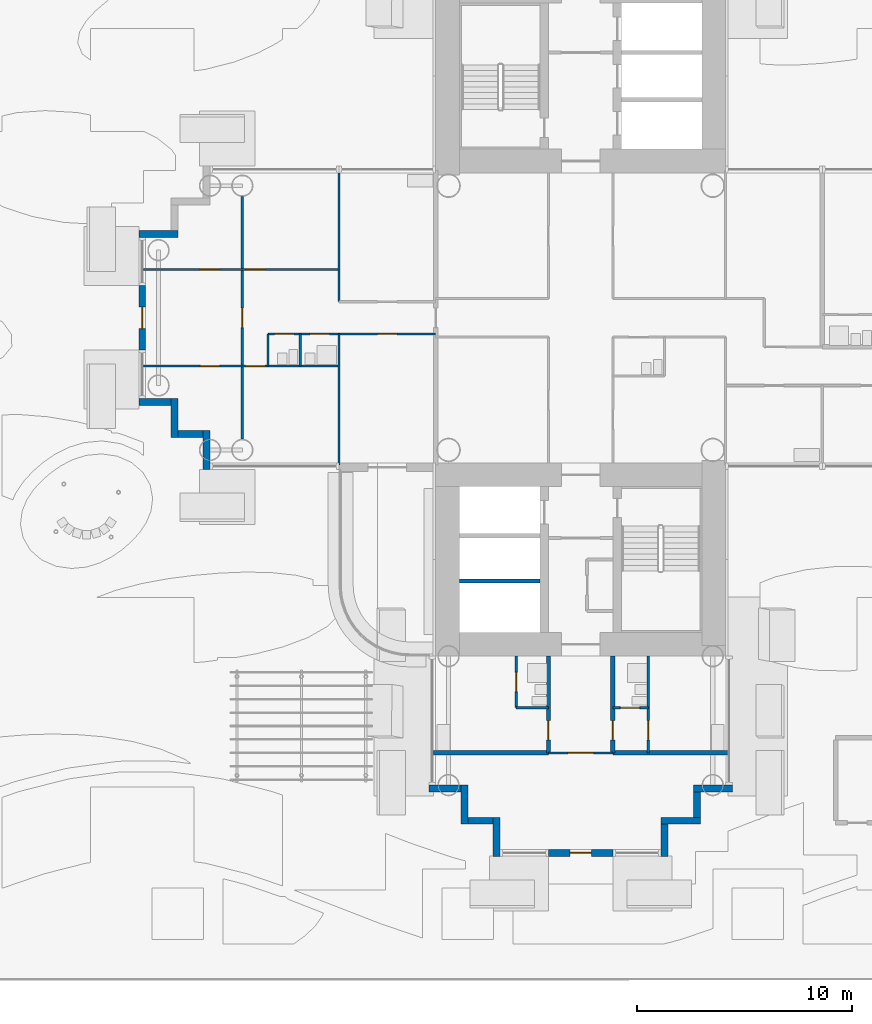
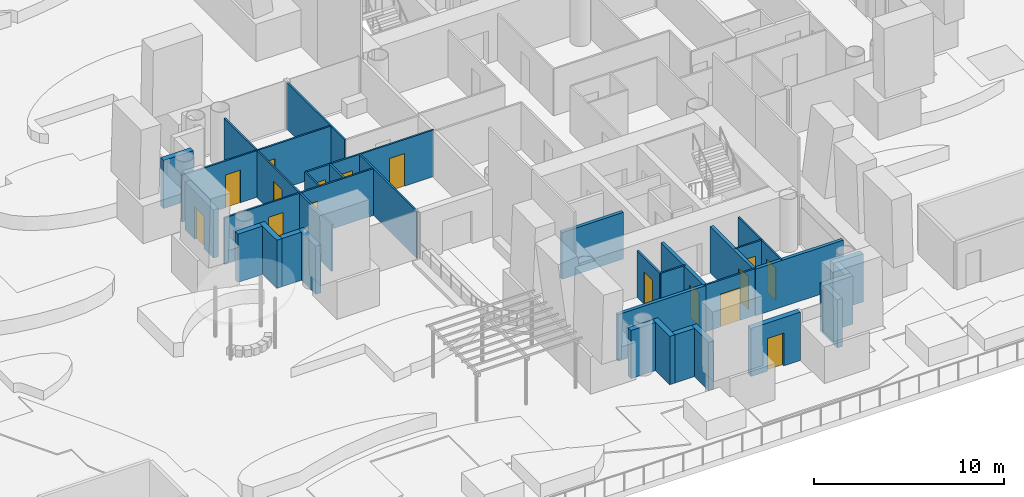
# One storey, part 27 of 40: 33 walls, 16 doors, 16 openings.
"""IFC4 building model written with IfcOpenShell, lengths in metres."""

from ifc_helpers import new_model, si_unit, direction, frame, frame_2d, origin, place, context, subcontext, project, spatial, rectangle, extrude, material, layer, layer_set, type_object, element, fill, save


model = new_model("IFC4")

# Units and contexts
model_context = context("Model", 3, precision=1e-05, world=origin(), true_north=direction((0.0, 1.0)))
body_context = subcontext(model_context, "Body", "Model", "MODEL_VIEW")
ifc_project = project(units=[si_unit("LENGTHUNIT", "METRE"), si_unit("AREAUNIT", "SQUARE_METRE"), si_unit("VOLUMEUNIT", "CUBIC_METRE"), si_unit("PLANEANGLEUNIT", "RADIAN"), si_unit("MASSUNIT", "GRAM", prefix="KILO")], contexts=[model_context])

# Site, building, storey
site_placement = place(None, origin())
site = spatial("IfcSite", under=ifc_project, at=site_placement, CompositionType="ELEMENT")
building_placement = place(site_placement, origin())
building = spatial("IfcBuilding", under=site, at=building_placement, Name="Ipe Terrace Towers", CompositionType="ELEMENT")
storey_placement = place(building_placement, frame((0.0, 0.0, 24.5)))
storey = spatial("IfcBuildingStorey", under=building, at=storey_placement, Name="L05", CompositionType="ELEMENT", Elevation=24.5)

# Walls
ifc_material_1 = material(Name="Concrete C40/50 with buff precast cladding", Category="concrete")
ifc_layer_1 = layer(ifc_material_1, 0.320068359375)
ifc_layer_set_1 = layer_set([ifc_layer_1], Name="BUFF CLADDING WALL 320")
wall_type_1 = type_object("IfcWallType", Name="BUFF CLADDING WALL 320", PredefinedType="STANDARD", material=ifc_layer_set_1)
wall_1_placement = place(storey_placement, frame((39.909912109375, -25.070068359375, 0.0), z_axis=(0.0, 0.0, 1.0), x_axis=(0.0, 1.0, 0.0)))
element("IfcWall", 1, at=wall_1_placement, inside=storey, type_object=wall_type_1, Name="T2-W-L05-00a wall", PredefinedType="STANDARD", context=body_context, shape_type="SweptSolid", body=[
    extrude(rectangle(XDim=1.5, YDim=0.320068359375, at=frame_2d((0.75, 0.0))), origin(), (0.0, 0.0, 1.0), 3.10009765625),
])
wall_2_placement = place(storey_placement, frame((39.75, -23.409912109375, 0.0), z_axis=(0.0, 0.0, 1.0), x_axis=(1.0, 0.0, 0.0)))
element("IfcWall", 2, at=wall_2_placement, inside=storey, type_object=wall_type_1, Name="T2-W-L05-01a wall", PredefinedType="STANDARD", context=body_context, shape_type="SweptSolid", body=[
    extrude(rectangle(XDim=1.820068359375, YDim=0.320068359375, at=frame_2d((0.91015625, 0.0))), origin(), (0.0, 0.0, 1.0), 3.10009765625),
])
wall_3_placement = place(storey_placement, frame((41.409912109375, -23.25, 0.0), z_axis=(0.0, 0.0, 1.0), x_axis=(0.0, 1.0, 0.0)))
element("IfcWall", 3, at=wall_3_placement, inside=storey, type_object=wall_type_1, Name="T2-W-L05-02a wall", PredefinedType="STANDARD", context=body_context, shape_type="SweptSolid", body=[
    extrude(rectangle(XDim=1.179931640625, YDim=0.320068359375, at=frame_2d((0.58984375, 0.0))), origin(), (0.0, 0.0, 1.0), 3.10009765625),
])
for number, where, z_axis, x_axis, name in (
    (4, (41.25, -21.909912109375, 0.0), (0.0, 0.0, 1.0), (1.0, 0.0, 0.0), "T2-W-L05-03a wall"),
    (5, (17.25, 3.909912109375, 0.0), (0.0, 0.0, 1.0), (-1.0, 0.0, 0.0), "T2-W-L05-37a wall"),
):
    element("IfcWall", number, at=place(storey_placement, frame(where, z_axis=z_axis, x_axis=x_axis)), inside=storey, type_object=wall_type_1, Name=name, PredefinedType="STANDARD", context=body_context, shape_type="SweptSolid", body=[
        extrude(rectangle(XDim=1.820068359375, YDim=0.320068359375, at=frame_2d((0.91015625, 0.0))), origin(), (0.0, 0.0, 1.0), 3.10009765625),
    ])

# Wall, opening, door
wall_4_placement = place(storey_placement, frame((15.590087890625, 1.5, 0.0), z_axis=(0.0, 0.0, 1.0), x_axis=(0.0, -1.0, 0.0)))
wall_4 = element("IfcWall", 6, at=wall_4_placement, inside=storey, type_object=wall_type_1, Name="T2-W-L05-38b wall", PredefinedType="STANDARD", context=body_context, shape_type="SweptSolid", body=[
    extrude(rectangle(XDim=3.0, YDim=0.320068359375, at=frame_2d((1.5, 0.0))), origin(), (0.0, 0.0, 1.0), 3.10009765625),
])
opening_1_placement = place(wall_4_placement, frame((1.0, 0.0, 0.0)))
opening_1 = element("IfcOpeningElement", 7, at=opening_1_placement, cuts=wall_4, Name="Opening T2-D-L05-38", PredefinedType="OPENING", context=body_context, shape_type="SweptSolid", body=[
    extrude(rectangle(XDim=1.0, YDim=2.10009765625, at=frame_2d((0.5, 1.050048828125))), frame((0.0, 0.169921875, 0.0), z_axis=(0.0, -1.0, 0.0), x_axis=(1.0, 0.0, 0.0)), (0.0, 0.0, 1.0), 0.340087890625),
])
ifc_material_2 = material(Name="Aluminium alloy 6063-T6 framed glazed door", Category="aluminium")
door_type_1 = type_object("IfcDoorType", Name="TERRACE DOOR 1000 x 2100", OperationType="SINGLE_SWING_LEFT", PredefinedType="DOOR", material=ifc_material_2)
door_1_placement = place(opening_1_placement, origin())
door_1 = element("IfcDoor", 8, at=door_1_placement, inside=storey, type_object=door_type_1, Name="DT1 door", OperationType="SINGLE_SWING_LEFT", OverallHeight=2.10009765625, OverallWidth=1.0, PredefinedType="DOOR", context=body_context, shape_type="SweptSolid", body=[
    extrude(rectangle(XDim=1.0, YDim=2.10009765625, at=frame_2d((0.5, 1.050048828125))), frame((0.0, 0.02490234375, 0.0), z_axis=(0.0, -1.0, 0.0), x_axis=(1.0, 0.0, 0.0)), (0.0, 0.0, 1.0), 0.050048828125),
])
fill(opening_1, door_1)

# Walls
wall_5_placement = place(storey_placement, frame((15.429931640625, -3.909912109375, 0.0), z_axis=(0.0, 0.0, 1.0), x_axis=(1.0, 0.0, 0.0)))
element("IfcWall", 9, at=wall_5_placement, inside=storey, type_object=wall_type_1, Name="T2-W-L05-39a wall", PredefinedType="STANDARD", context=body_context, shape_type="SweptSolid", body=[
    extrude(rectangle(XDim=1.5, YDim=0.320068359375, at=frame_2d((0.75, 0.0))), origin(), (0.0, 0.0, 1.0), 3.10009765625),
])
wall_6_placement = place(storey_placement, frame((17.090087890625, -3.75, 0.0), z_axis=(0.0, 0.0, 1.0), x_axis=(0.0, -1.0, 0.0)))
element("IfcWall", 10, at=wall_6_placement, inside=storey, type_object=wall_type_1, Name="T2-W-L05-40a wall", PredefinedType="STANDARD", context=body_context, shape_type="SweptSolid", body=[
    extrude(rectangle(XDim=1.820068359375, YDim=0.320068359375, at=frame_2d((0.91015625, 0.0))), origin(), (0.0, 0.0, 1.0), 3.10009765625),
])
wall_7_placement = place(storey_placement, frame((17.25, -5.409912109375, 0.0), z_axis=(0.0, 0.0, 1.0), x_axis=(1.0, 0.0, 0.0)))
element("IfcWall", 11, at=wall_7_placement, inside=storey, type_object=wall_type_1, Name="T2-W-L05-41a wall", PredefinedType="STANDARD", context=body_context, shape_type="SweptSolid", body=[
    extrude(rectangle(XDim=1.179931640625, YDim=0.320068359375, at=frame_2d((0.58984375, 0.0))), origin(), (0.0, 0.0, 1.0), 3.10009765625),
])
wall_8_placement = place(storey_placement, frame((18.590087890625, -5.25, 0.0), z_axis=(0.0, 0.0, 1.0), x_axis=(0.0, -1.0, 0.0)))
element("IfcWall", 12, at=wall_8_placement, inside=storey, type_object=wall_type_1, Name="T2-W-L05-42a wall", PredefinedType="STANDARD", context=body_context, shape_type="SweptSolid", body=[
    extrude(rectangle(XDim=1.820068359375, YDim=0.320068359375, at=frame_2d((0.91015625, 0.0))), origin(), (0.0, 0.0, 1.0), 3.10009765625),
])
wall_9_placement = place(storey_placement, frame((28.929931640625, -21.909912109375, 0.0), z_axis=(0.0, 0.0, 1.0), x_axis=(1.0, 0.0, 0.0)))
element("IfcWall", 13, at=wall_9_placement, inside=storey, type_object=wall_type_1, Name="T2-W-L05-47a wall", PredefinedType="STANDARD", context=body_context, shape_type="SweptSolid", body=[
    extrude(rectangle(XDim=1.5, YDim=0.320068359375, at=frame_2d((0.75, 0.0))), origin(), (0.0, 0.0, 1.0), 3.10009765625),
])
wall_10_placement = place(storey_placement, frame((30.590087890625, -21.75, 0.0), z_axis=(0.0, 0.0, 1.0), x_axis=(0.0, -1.0, 0.0)))
element("IfcWall", 14, at=wall_10_placement, inside=storey, type_object=wall_type_1, Name="T2-W-L05-48a wall", PredefinedType="STANDARD", context=body_context, shape_type="SweptSolid", body=[
    extrude(rectangle(XDim=1.820068359375, YDim=0.320068359375, at=frame_2d((0.91015625, 0.0))), origin(), (0.0, 0.0, 1.0), 3.10009765625),
])
wall_11_placement = place(storey_placement, frame((30.75, -23.409912109375, 0.0), z_axis=(0.0, 0.0, 1.0), x_axis=(1.0, 0.0, 0.0)))
element("IfcWall", 15, at=wall_11_placement, inside=storey, type_object=wall_type_1, Name="T2-W-L05-49a wall", PredefinedType="STANDARD", context=body_context, shape_type="SweptSolid", body=[
    extrude(rectangle(XDim=1.179931640625, YDim=0.320068359375, at=frame_2d((0.58984375, 0.0))), origin(), (0.0, 0.0, 1.0), 3.10009765625),
])
wall_12_placement = place(storey_placement, frame((32.090087890625, -23.25, 0.0), z_axis=(0.0, 0.0, 1.0), x_axis=(0.0, -1.0, 0.0)))
element("IfcWall", 16, at=wall_12_placement, inside=storey, type_object=wall_type_1, Name="T2-W-L05-50a wall", PredefinedType="STANDARD", context=body_context, shape_type="SweptSolid", body=[
    extrude(rectangle(XDim=1.820068359375, YDim=0.320068359375, at=frame_2d((0.91015625, 0.0))), origin(), (0.0, 0.0, 1.0), 3.10009765625),
])

# Wall, opening, door
wall_13_placement = place(storey_placement, frame((34.5, -24.909912109375, 0.0), z_axis=(0.0, 0.0, 1.0), x_axis=(1.0, 0.0, 0.0)))
wall_13 = element("IfcWall", 17, at=wall_13_placement, inside=storey, type_object=wall_type_1, Name="T2-W-L05-51b wall", PredefinedType="STANDARD", context=body_context, shape_type="SweptSolid", body=[
    extrude(rectangle(XDim=3.0, YDim=0.320068359375, at=frame_2d((1.5, 0.0))), origin(), (0.0, 0.0, 1.0), 3.10009765625),
])
opening_2_placement = place(wall_13_placement, frame((1.0, 0.0, 0.0)))
opening_2 = element("IfcOpeningElement", 18, at=opening_2_placement, cuts=wall_13, Name="Opening T2-D-L05-51", PredefinedType="OPENING", context=body_context, shape_type="SweptSolid", body=[
    extrude(rectangle(XDim=1.0, YDim=2.10009765625, at=frame_2d((0.5, 1.050048828125))), frame((0.0, 0.169921875, 0.0), z_axis=(0.0, -1.0, 0.0), x_axis=(1.0, 0.0, 0.0)), (0.0, 0.0, 1.0), 0.340087890625),
])
door_2_placement = place(opening_2_placement, origin())
door_2 = element("IfcDoor", 19, at=door_2_placement, inside=storey, type_object=door_type_1, Name="DT1 door", OperationType="SINGLE_SWING_LEFT", OverallHeight=2.10009765625, OverallWidth=1.0, PredefinedType="DOOR", context=body_context, shape_type="SweptSolid", body=[
    extrude(rectangle(XDim=1.0, YDim=2.10009765625, at=frame_2d((0.5, 1.050048828125))), frame((0.0, 0.02490234375, 0.0), z_axis=(0.0, -1.0, 0.0), x_axis=(1.0, 0.0, 0.0)), (0.0, 0.0, 1.0), 0.050048828125),
])
fill(opening_2, door_2)

ifc_material_3 = material(Name="Gypsum board partition", Category="plasterboard")
ifc_layer_2 = layer(ifc_material_3, 0.10009765625)
ifc_layer_set_2 = layer_set([ifc_layer_2], Name="Gypsum board partition 100 mm")
wall_type_2 = type_object("IfcWallType", Name="Gypsum board partition 100 mm", PredefinedType="PARTITIONING", material=ifc_layer_set_2)
wall_14_placement = place(storey_placement, frame((37.5, -20.25, 0.0), z_axis=(0.0, 0.0, 1.0), x_axis=(-1.0, 0.0, 0.0)))
wall_14 = element("IfcWall", 20, at=wall_14_placement, inside=storey, type_object=wall_type_2, Name="Gypsum board partition T2 L05 W01", PredefinedType="PARTITIONING", context=body_context, shape_type="SweptSolid", body=[
    extrude(rectangle(XDim=3.0, YDim=0.10009765625, at=frame_2d((1.5, 0.0))), origin(), (0.0, 0.0, 1.0), 3.0),
])
opening_3_placement = place(wall_14_placement, frame((0.89990234375, 0.0, 0.0)))
opening_3 = element("IfcOpeningElement", 21, at=opening_3_placement, cuts=wall_14, Name="Opening T2-Z1A-34", PredefinedType="OPENING", context=body_context, shape_type="SweptSolid", body=[
    extrude(rectangle(XDim=1.199951171875, YDim=2.10009765625, at=frame_2d((0.60009765625, 1.050048828125))), frame((0.0, 0.06005859375, 0.0), z_axis=(0.0, -1.0, 0.0), x_axis=(1.0, 0.0, 0.0)), (0.0, 0.0, 1.0), 0.1201171875),
])
ifc_material_4 = material(Name="Timber door leaf", Category="wood")
door_type_2 = type_object("IfcDoorType", Name="Lounge door 1200 x 2100", OperationType="NOTDEFINED", PredefinedType="DOOR", material=ifc_material_4)
door_3_placement = place(opening_3_placement, origin())
door_3 = element("IfcDoor", 22, at=door_3_placement, inside=storey, type_object=door_type_2, Name="Lounge door T2-Z1A-34", OperationType="SINGLE_SWING_LEFT", OverallHeight=2.10009765625, OverallWidth=1.199951171875, PredefinedType="DOOR", context=body_context, shape_type="SweptSolid", body=[
    extrude(rectangle(XDim=1.199951171875, YDim=2.10009765625, at=frame_2d((0.60009765625, 1.050048828125))), frame((0.0, 0.02490234375, 0.0), z_axis=(0.0, -1.0, 0.0), x_axis=(1.0, 0.0, 0.0)), (0.0, 0.0, 1.0), 0.050048828125),
])
fill(opening_3, door_3)

wall_15_placement = place(storey_placement, frame((39.14990234375, -18.14990234375, 0.0), z_axis=(0.0, 0.0, 1.0), x_axis=(-1.0, 0.0, 0.0)))
wall_15 = element("IfcWall", 23, at=wall_15_placement, inside=storey, type_object=wall_type_2, Name="Gypsum board partition T2 L05 W04", PredefinedType="PARTITIONING", context=body_context, shape_type="SweptSolid", body=[
    extrude(rectangle(XDim=1.64990234375, YDim=0.10009765625, at=frame_2d((0.824951171875, 0.0))), origin(), (0.0, 0.0, 1.0), 3.0),
])
opening_4_placement = place(wall_15_placement, frame((0.39990234375, 0.0, 0.0)))
opening_4 = element("IfcOpeningElement", 24, at=opening_4_placement, cuts=wall_15, Name="Opening T2-Z1A-31", PredefinedType="OPENING", context=body_context, shape_type="SweptSolid", body=[
    extrude(rectangle(XDim=0.89990234375, YDim=2.10009765625, at=frame_2d((0.449951171875, 1.050048828125))), frame((0.0, 0.06005859375, 0.0), z_axis=(0.0, -1.0, 0.0), x_axis=(1.0, 0.0, 0.0)), (0.0, 0.0, 1.0), 0.1201171875),
])
ifc_material_5 = material(Name="Timber door leaf", Category="wood")
door_type_3 = type_object("IfcDoorType", Name="Bathroom door 900 x 2100", OperationType="NOTDEFINED", PredefinedType="DOOR", material=ifc_material_5)
door_4_placement = place(opening_4_placement, origin())
door_4 = element("IfcDoor", 25, at=door_4_placement, inside=storey, type_object=door_type_3, Name="Bathroom door T2-Z1A-31", OperationType="SINGLE_SWING_RIGHT", OverallHeight=2.10009765625, OverallWidth=0.89990234375, PredefinedType="DOOR", context=body_context, shape_type="SweptSolid", body=[
    extrude(rectangle(XDim=0.89990234375, YDim=2.10009765625, at=frame_2d((0.449951171875, 1.050048828125))), frame((0.0, 0.02490234375, 0.0), z_axis=(0.0, -1.0, 0.0), x_axis=(1.0, 0.0, 0.0)), (0.0, 0.0, 1.0), 0.050048828125),
])
fill(opening_4, door_4)

# Wall
wall_16_placement = place(storey_placement, frame((34.5, -18.14990234375, 0.0), z_axis=(0.0, 0.0, 1.0), x_axis=(-1.0, 0.0, 0.0)))
element("IfcWall", 26, at=wall_16_placement, inside=storey, type_object=wall_type_2, Name="Gypsum board partition T2 L05 W05", PredefinedType="PARTITIONING", context=body_context, shape_type="SweptSolid", body=[
    extrude(rectangle(XDim=1.5, YDim=0.10009765625, at=frame_2d((0.75, 0.0))), origin(), (0.0, 0.0, 1.0), 3.0),
])

# Wall, openings, doors
wall_17_placement = place(storey_placement, frame((24.75, -2.25, 0.0), z_axis=(0.0, 0.0, 1.0), x_axis=(-1.0, 0.0, 0.0)))
wall_17 = element("IfcWall", 27, at=wall_17_placement, inside=storey, type_object=wall_type_2, Name="Gypsum board partition T2 L05 W08", PredefinedType="PARTITIONING", context=body_context, shape_type="SweptSolid", body=[
    extrude(rectangle(XDim=9.10009765625, YDim=0.10009765625, at=frame_2d((4.550048828125, 0.0))), origin(), (0.0, 0.0, 1.0), 3.0),
])
opening_5_placement = place(wall_17_placement, frame((3.449951171875, 0.0, 0.0)))
opening_5 = element("IfcOpeningElement", 28, at=opening_5_placement, cuts=wall_17, Name="Opening T2-Z1A-11", PredefinedType="OPENING", context=body_context, shape_type="SweptSolid", body=[
    extrude(rectangle(XDim=0.89990234375, YDim=2.10009765625, at=frame_2d((0.449951171875, 1.050048828125))), frame((0.0, 0.06005859375, 0.0), z_axis=(0.0, -1.0, 0.0), x_axis=(1.0, 0.0, 0.0)), (0.0, 0.0, 1.0), 0.1201171875),
])
opening_6_placement = place(wall_17_placement, frame((5.550048828125, 0.0, 0.0)))
opening_6 = element("IfcOpeningElement", 29, at=opening_6_placement, cuts=wall_17, Name="Opening T2-Z1A-14", PredefinedType="OPENING", context=body_context, shape_type="SweptSolid", body=[
    extrude(rectangle(XDim=0.89990234375, YDim=2.10009765625, at=frame_2d((0.449951171875, 1.050048828125))), frame((0.0, 0.06005859375, 0.0), z_axis=(0.0, -1.0, 0.0), x_axis=(1.0, 0.0, 0.0)), (0.0, 0.0, 1.0), 0.1201171875),
])
ifc_material_6 = material(Name="Timber door leaf", Category="wood")
door_type_4 = type_object("IfcDoorType", Name="Bedroom door 900 x 2100", OperationType="NOTDEFINED", PredefinedType="DOOR", material=ifc_material_6)
door_5_placement = place(opening_5_placement, origin())
door_5 = element("IfcDoor", 30, at=door_5_placement, inside=storey, type_object=door_type_4, Name="Bedroom door T2-Z1A-11", OperationType="SINGLE_SWING_RIGHT", OverallHeight=2.10009765625, OverallWidth=0.89990234375, PredefinedType="DOOR", context=body_context, shape_type="SweptSolid", body=[
    extrude(rectangle(XDim=0.89990234375, YDim=2.10009765625, at=frame_2d((0.449951171875, 1.050048828125))), frame((0.0, 0.02490234375, 0.0), z_axis=(0.0, -1.0, 0.0), x_axis=(1.0, 0.0, 0.0)), (0.0, 0.0, 1.0), 0.050048828125),
])
fill(opening_5, door_5)
door_6_placement = place(opening_6_placement, origin())
door_6 = element("IfcDoor", 31, at=door_6_placement, inside=storey, type_object=door_type_4, Name="Bedroom door T2-Z1A-14", OperationType="SINGLE_SWING_LEFT", OverallHeight=2.10009765625, OverallWidth=0.89990234375, PredefinedType="DOOR", context=body_context, shape_type="SweptSolid", body=[
    extrude(rectangle(XDim=0.89990234375, YDim=2.10009765625, at=frame_2d((0.449951171875, 1.050048828125))), frame((0.0, 0.02490234375, 0.0), z_axis=(0.0, -1.0, 0.0), x_axis=(1.0, 0.0, 0.0)), (0.0, 0.0, 1.0), 0.050048828125),
])
fill(opening_6, door_6)

wall_18_placement = place(storey_placement, frame((29.25, -0.75, 0.0), z_axis=(0.0, 0.0, 1.0), x_axis=(-1.0, 0.0, 0.0)))
wall_18 = element("IfcWall", 32, at=wall_18_placement, inside=storey, type_object=wall_type_2, Name="Gypsum board partition T2 L05 W13", PredefinedType="PARTITIONING", context=body_context, shape_type="SweptSolid", body=[
    extrude(rectangle(XDim=7.800048828125, YDim=0.10009765625, at=frame_2d((3.89990234375, 0.0))), origin(), (0.0, 0.0, 1.0), 3.0),
])
opening_7_placement = place(wall_18_placement, frame((1.800048828125, 0.0, 0.0)))
opening_7 = element("IfcOpeningElement", 33, at=opening_7_placement, cuts=wall_18, Name="Opening T2-Z1A-06", PredefinedType="OPENING", context=body_context, shape_type="SweptSolid", body=[
    extrude(rectangle(XDim=0.89990234375, YDim=2.10009765625, at=frame_2d((0.449951171875, 1.050048828125))), frame((0.0, 0.06005859375, 0.0), z_axis=(0.0, -1.0, 0.0), x_axis=(1.0, 0.0, 0.0)), (0.0, 0.0, 1.0), 0.1201171875),
])
opening_8_placement = place(wall_18_placement, frame((4.949951171875, 0.0, 0.0)))
opening_8 = element("IfcOpeningElement", 34, at=opening_8_placement, cuts=wall_18, Name="Opening T2-Z1A-09", PredefinedType="OPENING", context=body_context, shape_type="SweptSolid", body=[
    extrude(rectangle(XDim=0.89990234375, YDim=2.10009765625, at=frame_2d((0.449951171875, 1.050048828125))), frame((0.0, 0.06005859375, 0.0), z_axis=(0.0, -1.0, 0.0), x_axis=(1.0, 0.0, 0.0)), (0.0, 0.0, 1.0), 0.1201171875),
])
opening_9_placement = place(wall_18_placement, frame((6.60009765625, 0.0, 0.0)))
opening_9 = element("IfcOpeningElement", 35, at=opening_9_placement, cuts=wall_18, Name="Opening T2-Z1A-10", PredefinedType="OPENING", context=body_context, shape_type="SweptSolid", body=[
    extrude(rectangle(XDim=0.89990234375, YDim=2.10009765625, at=frame_2d((0.449951171875, 1.050048828125))), frame((0.0, 0.06005859375, 0.0), z_axis=(0.0, -1.0, 0.0), x_axis=(1.0, 0.0, 0.0)), (0.0, 0.0, 1.0), 0.1201171875),
])
door_7_placement = place(opening_8_placement, origin())
door_7 = element("IfcDoor", 36, at=door_7_placement, inside=storey, type_object=door_type_3, Name="Bathroom door T2-Z1A-09", OperationType="SINGLE_SWING_LEFT", OverallHeight=2.10009765625, OverallWidth=0.89990234375, PredefinedType="DOOR", context=body_context, shape_type="SweptSolid", body=[
    extrude(rectangle(XDim=0.89990234375, YDim=2.10009765625, at=frame_2d((0.449951171875, 1.050048828125))), frame((0.0, 0.02490234375, 0.0), z_axis=(0.0, -1.0, 0.0), x_axis=(1.0, 0.0, 0.0)), (0.0, 0.0, 1.0), 0.050048828125),
])
fill(opening_8, door_7)
door_8_placement = place(opening_9_placement, origin())
door_8 = element("IfcDoor", 37, at=door_8_placement, inside=storey, type_object=door_type_3, Name="Bathroom door T2-Z1A-10", OperationType="SINGLE_SWING_LEFT", OverallHeight=2.10009765625, OverallWidth=0.89990234375, PredefinedType="DOOR", context=body_context, shape_type="SweptSolid", body=[
    extrude(rectangle(XDim=0.89990234375, YDim=2.10009765625, at=frame_2d((0.449951171875, 1.050048828125))), frame((0.0, 0.02490234375, 0.0), z_axis=(0.0, -1.0, 0.0), x_axis=(1.0, 0.0, 0.0)), (0.0, 0.0, 1.0), 0.050048828125),
])
fill(opening_9, door_8)
ifc_material_7 = material(Name="Timber door leaf", Category="wood")
door_type_5 = type_object("IfcDoorType", Name="Lounge door 900 x 2100", OperationType="NOTDEFINED", PredefinedType="DOOR", material=ifc_material_7)
door_9_placement = place(opening_7_placement, origin())
door_9 = element("IfcDoor", 38, at=door_9_placement, inside=storey, type_object=door_type_5, Name="Lounge door T2-Z1A-06", OperationType="SINGLE_SWING_RIGHT", OverallHeight=2.10009765625, OverallWidth=0.89990234375, PredefinedType="DOOR", context=body_context, shape_type="SweptSolid", body=[
    extrude(rectangle(XDim=0.89990234375, YDim=2.10009765625, at=frame_2d((0.449951171875, 1.050048828125))), frame((0.0, 0.02490234375, 0.0), z_axis=(0.0, -1.0, 0.0), x_axis=(1.0, 0.0, 0.0)), (0.0, 0.0, 1.0), 0.050048828125),
])
fill(opening_7, door_9)

wall_19_placement = place(storey_placement, frame((24.75, 2.25, 0.0), z_axis=(0.0, 0.0, 1.0), x_axis=(-1.0, 0.0, 0.0)))
wall_19 = element("IfcWall", 39, at=wall_19_placement, inside=storey, type_object=wall_type_2, Name="Gypsum board partition T2 L05 W18", PredefinedType="PARTITIONING", context=body_context, shape_type="SweptSolid", body=[
    extrude(rectangle(XDim=9.10009765625, YDim=0.10009765625, at=frame_2d((4.550048828125, 0.0))), origin(), (0.0, 0.0, 1.0), 3.0),
])
opening_10_placement = place(wall_19_placement, frame((3.449951171875, 0.0, 0.0)))
opening_10 = element("IfcOpeningElement", 40, at=opening_10_placement, cuts=wall_19, Name="Opening T2-Z1A-12", PredefinedType="OPENING", context=body_context, shape_type="SweptSolid", body=[
    extrude(rectangle(XDim=0.89990234375, YDim=2.10009765625, at=frame_2d((0.449951171875, 1.050048828125))), frame((0.0, 0.06005859375, 0.0), z_axis=(0.0, -1.0, 0.0), x_axis=(1.0, 0.0, 0.0)), (0.0, 0.0, 1.0), 0.1201171875),
])
opening_11_placement = place(wall_19_placement, frame((5.550048828125, 0.0, 0.0)))
opening_11 = element("IfcOpeningElement", 41, at=opening_11_placement, cuts=wall_19, Name="Opening T2-Z1A-15", PredefinedType="OPENING", context=body_context, shape_type="SweptSolid", body=[
    extrude(rectangle(XDim=0.89990234375, YDim=2.10009765625, at=frame_2d((0.449951171875, 1.050048828125))), frame((0.0, 0.06005859375, 0.0), z_axis=(0.0, -1.0, 0.0), x_axis=(1.0, 0.0, 0.0)), (0.0, 0.0, 1.0), 0.1201171875),
])
door_10_placement = place(opening_10_placement, origin())
door_10 = element("IfcDoor", 42, at=door_10_placement, inside=storey, type_object=door_type_4, Name="Bedroom door T2-Z1A-12", OperationType="SINGLE_SWING_LEFT", OverallHeight=2.10009765625, OverallWidth=0.89990234375, PredefinedType="DOOR", context=body_context, shape_type="SweptSolid", body=[
    extrude(rectangle(XDim=0.89990234375, YDim=2.10009765625, at=frame_2d((0.449951171875, 1.050048828125))), frame((0.0, 0.02490234375, 0.0), z_axis=(0.0, -1.0, 0.0), x_axis=(1.0, 0.0, 0.0)), (0.0, 0.0, 1.0), 0.050048828125),
])
fill(opening_10, door_10)
door_11_placement = place(opening_11_placement, origin())
door_11 = element("IfcDoor", 43, at=door_11_placement, inside=storey, type_object=door_type_4, Name="Bedroom door T2-Z1A-15", OperationType="SINGLE_SWING_RIGHT", OverallHeight=2.10009765625, OverallWidth=0.89990234375, PredefinedType="DOOR", context=body_context, shape_type="SweptSolid", body=[
    extrude(rectangle(XDim=0.89990234375, YDim=2.10009765625, at=frame_2d((0.449951171875, 1.050048828125))), frame((0.0, 0.02490234375, 0.0), z_axis=(0.0, -1.0, 0.0), x_axis=(1.0, 0.0, 0.0)), (0.0, 0.0, 1.0), 0.050048828125),
])
fill(opening_11, door_11)

# Wall, opening, door
wall_20_placement = place(storey_placement, frame((39.14990234375, -20.25, 0.0), z_axis=(0.0, 0.0, 1.0), x_axis=(0.0, 1.0, 0.0)))
wall_20 = element("IfcWall", 44, at=wall_20_placement, inside=storey, type_object=wall_type_2, Name="Gypsum board partition T2 L05 W33", PredefinedType="PARTITIONING", context=body_context, shape_type="SweptSolid", body=[
    extrude(rectangle(XDim=4.5, YDim=0.10009765625, at=frame_2d((2.25, 0.0))), origin(), (0.0, 0.0, 1.0), 3.0),
])
opening_12_placement = place(wall_20_placement, frame((0.60009765625, 0.0, 0.0)))
opening_12 = element("IfcOpeningElement", 45, at=opening_12_placement, cuts=wall_20, Name="Opening T2-Z1A-30", PredefinedType="OPENING", context=body_context, shape_type="SweptSolid", body=[
    extrude(rectangle(XDim=0.89990234375, YDim=2.10009765625, at=frame_2d((0.449951171875, 1.050048828125))), frame((0.0, 0.06005859375, 0.0), z_axis=(0.0, -1.0, 0.0), x_axis=(1.0, 0.0, 0.0)), (0.0, 0.0, 1.0), 0.1201171875),
])
door_12_placement = place(opening_12_placement, origin())
door_12 = element("IfcDoor", 46, at=door_12_placement, inside=storey, type_object=door_type_4, Name="Bedroom door T2-Z1A-30", OperationType="SINGLE_SWING_LEFT", OverallHeight=2.10009765625, OverallWidth=0.89990234375, PredefinedType="DOOR", context=body_context, shape_type="SweptSolid", body=[
    extrude(rectangle(XDim=0.89990234375, YDim=2.10009765625, at=frame_2d((0.449951171875, 1.050048828125))), frame((0.0, 0.02490234375, 0.0), z_axis=(0.0, -1.0, 0.0), x_axis=(1.0, 0.0, 0.0)), (0.0, 0.0, 1.0), 0.050048828125),
])
fill(opening_12, door_12)

wall_21_placement = place(storey_placement, frame((33.0, -18.14990234375, 0.0), z_axis=(0.0, 0.0, 1.0), x_axis=(0.0, 1.0, 0.0)))
wall_21 = element("IfcWall", 47, at=wall_21_placement, inside=storey, type_object=wall_type_2, Name="Gypsum board partition T2 L05 W43", PredefinedType="PARTITIONING", context=body_context, shape_type="SweptSolid", body=[
    extrude(rectangle(XDim=2.39990234375, YDim=0.10009765625, at=frame_2d((1.199951171875, 0.0))), origin(), (0.0, 0.0, 1.0), 3.0),
])
opening_13_placement = place(wall_21_placement, frame((0.75, 0.0, 0.0)))
opening_13 = element("IfcOpeningElement", 48, at=opening_13_placement, cuts=wall_21, Name="Opening T2-Z1A-33", PredefinedType="OPENING", context=body_context, shape_type="SweptSolid", body=[
    extrude(rectangle(XDim=0.89990234375, YDim=2.10009765625, at=frame_2d((0.449951171875, 1.050048828125))), frame((0.0, 0.06005859375, 0.0), z_axis=(0.0, -1.0, 0.0), x_axis=(1.0, 0.0, 0.0)), (0.0, 0.0, 1.0), 0.1201171875),
])
door_13_placement = place(opening_13_placement, origin())
door_13 = element("IfcDoor", 49, at=door_13_placement, inside=storey, type_object=door_type_3, Name="Bathroom door T2-Z1A-33", OperationType="SINGLE_SWING_RIGHT", OverallHeight=2.10009765625, OverallWidth=0.89990234375, PredefinedType="DOOR", context=body_context, shape_type="SweptSolid", body=[
    extrude(rectangle(XDim=0.89990234375, YDim=2.10009765625, at=frame_2d((0.449951171875, 1.050048828125))), frame((0.0, 0.02490234375, 0.0), z_axis=(0.0, -1.0, 0.0), x_axis=(1.0, 0.0, 0.0)), (0.0, 0.0, 1.0), 0.050048828125),
])
fill(opening_13, door_13)

# Walls
for number, where, z_axis, x_axis, name in (
    (50, (24.75, -6.85009765625, 0.0), (0.0, 0.0, 1.0), (0.0, 1.0, 0.0), "Gypsum board partition T2 L05 W46"),
    (51, (24.75, 0.75, 0.0), (0.0, 0.0, 1.0), (0.0, 1.0, 0.0), "Gypsum board partition T2 L05 W47"),
):
    element("IfcWall", number, at=place(storey_placement, frame(where, z_axis=z_axis, x_axis=x_axis)), inside=storey, type_object=wall_type_2, Name=name, PredefinedType="PARTITIONING", context=body_context, shape_type="SweptSolid", body=[
        extrude(rectangle(XDim=6.10009765625, YDim=0.10009765625, at=frame_2d((3.050048828125, 0.0))), origin(), (0.0, 0.0, 1.0), 3.0),
    ])
for number, where, z_axis, x_axis, name in (
    (52, (22.949951171875, -2.25, 0.0), (0.0, 0.0, 1.0), (0.0, 1.0, 0.0), "Gypsum board partition T2 L05 W48"),
    (53, (21.449951171875, -2.25, 0.0), (0.0, 0.0, 1.0), (0.0, 1.0, 0.0), "Gypsum board partition T2 L05 W49"),
):
    element("IfcWall", number, at=place(storey_placement, frame(where, z_axis=z_axis, x_axis=x_axis)), inside=storey, type_object=wall_type_2, Name=name, PredefinedType="PARTITIONING", context=body_context, shape_type="SweptSolid", body=[
        extrude(rectangle(XDim=1.5, YDim=0.10009765625, at=frame_2d((0.75, 0.0))), origin(), (0.0, 0.0, 1.0), 3.0),
    ])

# Wall, opening, door
wall_22_placement = place(storey_placement, frame((20.25, -5.64990234375, 0.0), z_axis=(0.0, 0.0, 1.0), x_axis=(0.0, 1.0, 0.0)))
wall_22 = element("IfcWall", 54, at=wall_22_placement, inside=storey, type_object=wall_type_2, Name="Gypsum board partition T2 L05 W50", PredefinedType="PARTITIONING", context=body_context, shape_type="SweptSolid", body=[
    extrude(rectangle(XDim=11.2998046875, YDim=0.10009765625, at=frame_2d((5.64990234375, 0.0))), origin(), (0.0, 0.0, 1.0), 3.0),
])
opening_14_placement = place(wall_22_placement, frame((5.199951171875, 0.0, 0.0)))
opening_14 = element("IfcOpeningElement", 55, at=opening_14_placement, cuts=wall_22, Name="Opening T2-Z1A-13", PredefinedType="OPENING", context=body_context, shape_type="SweptSolid", body=[
    extrude(rectangle(XDim=0.89990234375, YDim=2.10009765625, at=frame_2d((0.449951171875, 1.050048828125))), frame((0.0, 0.06005859375, 0.0), z_axis=(0.0, -1.0, 0.0), x_axis=(1.0, 0.0, 0.0)), (0.0, 0.0, 1.0), 0.1201171875),
])
door_14_placement = place(opening_14_placement, origin())
door_14 = element("IfcDoor", 56, at=door_14_placement, inside=storey, type_object=door_type_5, Name="Lounge door T2-Z1A-13", OperationType="SINGLE_SWING_LEFT", OverallHeight=2.10009765625, OverallWidth=0.89990234375, PredefinedType="DOOR", context=body_context, shape_type="SweptSolid", body=[
    extrude(rectangle(XDim=0.89990234375, YDim=2.10009765625, at=frame_2d((0.449951171875, 1.050048828125))), frame((0.0, 0.02490234375, 0.0), z_axis=(0.0, -1.0, 0.0), x_axis=(1.0, 0.0, 0.0)), (0.0, 0.0, 1.0), 0.050048828125),
])
fill(opening_14, door_14)

# Walls
ifc_material_8 = material(Name="Gypsum board party wall", Category="plasterboard")
ifc_layer_3 = layer(ifc_material_8, 0.199951171875)
ifc_layer_set_3 = layer_set([ifc_layer_3], Name="Gypsum board party wall 200 mm")
wall_type_3 = type_object("IfcWallType", Name="Gypsum board party wall 200 mm", PredefinedType="SOLIDWALL", material=ifc_layer_set_3)
wall_23_placement = place(storey_placement, frame((30.35009765625, -12.25, 0.0), z_axis=(0.0, 0.0, 1.0), x_axis=(1.0, 0.0, 0.0)))
element("IfcWall", 57, at=wall_23_placement, inside=storey, type_object=wall_type_3, Name="Gypsum board party wall T2 L05 t2c2-shaft-div2", PredefinedType="SOLIDWALL", context=body_context, shape_type="SweptSolid", body=[
    extrude(rectangle(XDim=3.75, YDim=0.199951171875, at=frame_2d((1.875, 0.0))), origin(), (0.0, 0.0, 1.0), 3.0),
])
for number, where, z_axis, x_axis, name in (
    (58, (42.85009765625, -20.25, 0.0), (0.0, 0.0, 1.0), (-1.0, 0.0, 0.0), "Gypsum board party wall T2 L05 W02"),
    (59, (34.5, -20.25, 0.0), (0.0, 0.0, 1.0), (-1.0, 0.0, 0.0), "Gypsum board party wall T2 L05 W03"),
):
    element("IfcWall", number, at=place(storey_placement, frame(where, z_axis=z_axis, x_axis=x_axis)), inside=storey, type_object=wall_type_3, Name=name, PredefinedType="SOLIDWALL", context=body_context, shape_type="SweptSolid", body=[
        extrude(rectangle(XDim=5.35009765625, YDim=0.199951171875, at=frame_2d((2.675048828125, 0.0))), origin(), (0.0, 0.0, 1.0), 3.0),
    ])

# Wall, opening, door
wall_24_placement = place(storey_placement, frame((37.5, -20.25, 0.0), z_axis=(0.0, 0.0, 1.0), x_axis=(0.0, 1.0, 0.0)))
wall_24 = element("IfcWall", 60, at=wall_24_placement, inside=storey, type_object=wall_type_3, Name="Gypsum board party wall T2 L05 W37", PredefinedType="SOLIDWALL", context=body_context, shape_type="SweptSolid", body=[
    extrude(rectangle(XDim=4.5, YDim=0.199951171875, at=frame_2d((2.25, 0.0))), origin(), (0.0, 0.0, 1.0), 3.0),
])
opening_15_placement = place(wall_24_placement, frame((0.60009765625, 0.0, 0.0)))
opening_15 = element("IfcOpeningElement", 61, at=opening_15_placement, cuts=wall_24, Name="Opening T2-Z1A-29", PredefinedType="OPENING", context=body_context, shape_type="SweptSolid", body=[
    extrude(rectangle(XDim=0.89990234375, YDim=2.10009765625, at=frame_2d((0.449951171875, 1.050048828125))), frame((0.0, 0.10986328125, 0.0), z_axis=(0.0, -1.0, 0.0), x_axis=(1.0, 0.0, 0.0)), (0.0, 0.0, 1.0), 0.219970703125),
])
ifc_material_9 = material(Name="Fire-rated timber door leaf", Category="wood")
door_type_6 = type_object("IfcDoorType", Name="Flat entrance door 900 x 2100 FD30S", OperationType="NOTDEFINED", PredefinedType="DOOR", material=ifc_material_9)
door_15_placement = place(opening_15_placement, origin())
door_15 = element("IfcDoor", 62, at=door_15_placement, inside=storey, type_object=door_type_6, Name="Flat entrance door T2-Z1A-29", OperationType="SINGLE_SWING_LEFT", OverallHeight=2.10009765625, OverallWidth=0.89990234375, PredefinedType="DOOR", context=body_context, shape_type="SweptSolid", body=[
    extrude(rectangle(XDim=0.89990234375, YDim=2.10009765625, at=frame_2d((0.449951171875, 1.050048828125))), frame((0.0, 0.02490234375, 0.0), z_axis=(0.0, -1.0, 0.0), x_axis=(1.0, 0.0, 0.0)), (0.0, 0.0, 1.0), 0.050048828125),
])
fill(opening_15, door_15)

wall_25_placement = place(storey_placement, frame((34.5, -20.25, 0.0), z_axis=(0.0, 0.0, 1.0), x_axis=(0.0, 1.0, 0.0)))
wall_25 = element("IfcWall", 63, at=wall_25_placement, inside=storey, type_object=wall_type_3, Name="Gypsum board party wall T2 L05 W41", PredefinedType="SOLIDWALL", context=body_context, shape_type="SweptSolid", body=[
    extrude(rectangle(XDim=4.5, YDim=0.199951171875, at=frame_2d((2.25, 0.0))), origin(), (0.0, 0.0, 1.0), 3.0),
])
opening_16_placement = place(wall_25_placement, frame((0.60009765625, 0.0, 0.0)))
opening_16 = element("IfcOpeningElement", 64, at=opening_16_placement, cuts=wall_25, Name="Opening T2-Z1A-32", PredefinedType="OPENING", context=body_context, shape_type="SweptSolid", body=[
    extrude(rectangle(XDim=0.89990234375, YDim=2.10009765625, at=frame_2d((0.449951171875, 1.050048828125))), frame((0.0, 0.10986328125, 0.0), z_axis=(0.0, -1.0, 0.0), x_axis=(1.0, 0.0, 0.0)), (0.0, 0.0, 1.0), 0.219970703125),
])
door_16_placement = place(opening_16_placement, origin())
door_16 = element("IfcDoor", 65, at=door_16_placement, inside=storey, type_object=door_type_6, Name="Flat entrance door T2-Z1A-32", OperationType="SINGLE_SWING_RIGHT", OverallHeight=2.10009765625, OverallWidth=0.89990234375, PredefinedType="DOOR", context=body_context, shape_type="SweptSolid", body=[
    extrude(rectangle(XDim=0.89990234375, YDim=2.10009765625, at=frame_2d((0.449951171875, 1.050048828125))), frame((0.0, 0.02490234375, 0.0), z_axis=(0.0, -1.0, 0.0), x_axis=(1.0, 0.0, 0.0)), (0.0, 0.0, 1.0), 0.050048828125),
])
fill(opening_16, door_16)

save(model, "model.ifc")
